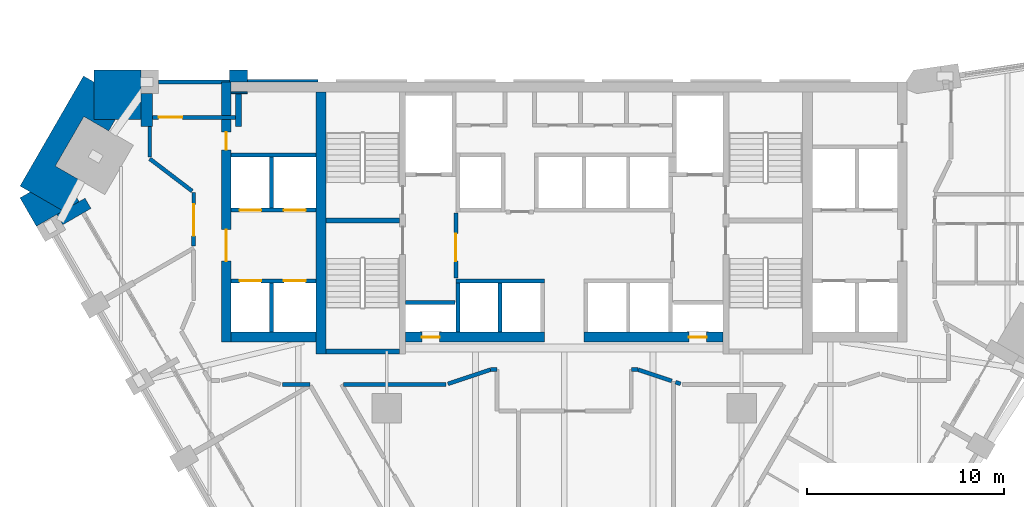
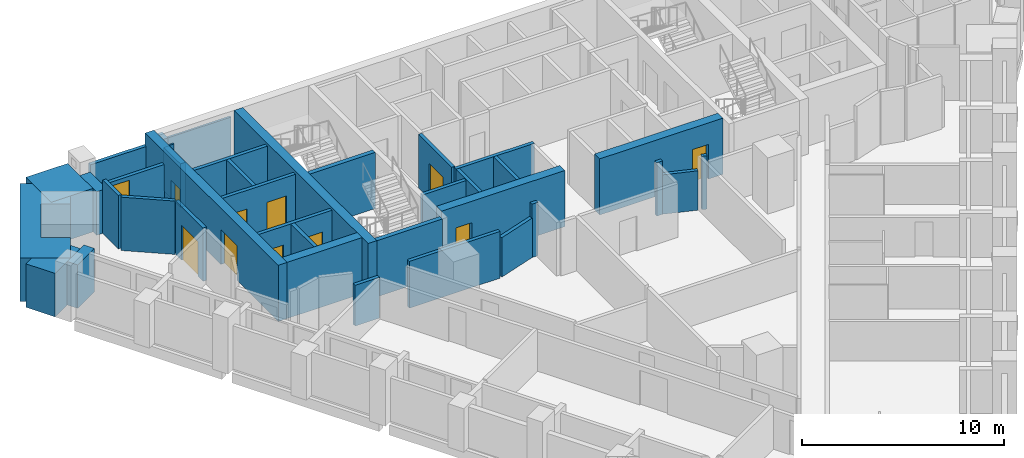
# One storey, part 6 of 11: 38 walls, 11 doors, 11 openings.
"""IFC4 building model written with IfcOpenShell, lengths in metres."""

from ifc_helpers import new_model, si_unit, direction, frame, frame_2d, origin, place, context, subcontext, project, spatial, polyline, rectangle, outline, extrude, material, layer, layer_set, type_object, element, fill, save


model = new_model("IFC4")

# Units and contexts
model_context = context("Model", 3, precision=1e-05, world=origin(), true_north=direction((0.0, 1.0)))
body_context = subcontext(model_context, "Body", "Model", "MODEL_VIEW")
ifc_project = project(units=[si_unit("LENGTHUNIT", "METRE"), si_unit("AREAUNIT", "SQUARE_METRE"), si_unit("VOLUMEUNIT", "CUBIC_METRE"), si_unit("PLANEANGLEUNIT", "RADIAN"), si_unit("MASSUNIT", "GRAM", prefix="KILO")], contexts=[model_context])

# Site, building, storey
site_placement = place(None, origin())
site = spatial("IfcSite", under=ifc_project, at=site_placement, CompositionType="ELEMENT")
building_placement = place(site_placement, origin())
building = spatial("IfcBuilding", under=site, at=building_placement, Name="Calabash Gate Tower", CompositionType="ELEMENT")
storey_placement = place(building_placement, frame((0.0, 0.0, 119.0)))
storey = spatial("IfcBuildingStorey", under=building, at=storey_placement, Name="L27", CompositionType="ELEMENT", Elevation=119.0)

# Walls
ifc_material_1 = material(Name="Terracotta brick masonry, exposed face", Category="masonry")
ifc_layer_1 = layer(ifc_material_1, 2.5)
ifc_layer_set_1 = layer_set([ifc_layer_1], Name="Brick corner mass wall 2500")
wall_type_1 = type_object("IfcWallType", Name="Brick corner mass wall 2500", PredefinedType="SOLIDWALL", material=ifc_layer_set_1)
wall_1_placement = place(storey_placement, origin())
element("IfcWall", 1, at=wall_1_placement, inside=storey, type_object=wall_type_1, Name="Brick corner pier S07 3a", PredefinedType="SOLIDWALL", context=body_context, shape_type="SweptSolid", body=[
    extrude(outline(polyline([(-23.87255859375, 17.152587890625), (-21.48291015625, 17.152587890625), (-21.48291015625, 18.452880859375), (-21.48291015625, 18.452880859375), (-21.48291015625, 19.652587890625), (-23.87255859375, 19.652587890625), (-23.87255859375, 17.152587890625)])), origin(), (0.0, 0.0, 1.0), 2.6298828125),
])
wall_2_placement = place(storey_placement, origin())
element("IfcWall", 2, at=wall_2_placement, inside=storey, type_object=wall_type_1, Name="Brick corner pier S07 3b", PredefinedType="SOLIDWALL", context=body_context, shape_type="SweptSolid", body=[
    extrude(outline(polyline([(-23.114013671875, 16.56640625), (-22.775634765625, 17.152587890625), (-23.87255859375, 17.152587890625), (-23.87255859375, 19.052490234375), (-24.392333984375, 19.3525390625), (-27.616455078125, 13.76806640625), (-25.451416015625, 12.51806640625), (-24.56396484375, 14.054931640625), (-25.82373046875, 14.7822265625), (-24.373779296875, 17.293701171875), (-23.114013671875, 16.56640625)])), origin(), (0.0, 0.0, 1.0), 2.6298828125),
])
wall_3_placement = place(storey_placement, origin())
element("IfcWall", 3, at=wall_3_placement, inside=storey, type_object=wall_type_1, Name="Brick corner pier S07 3c", PredefinedType="SOLIDWALL", context=body_context, shape_type="SweptSolid", body=[
    extrude(outline(polyline([(-26.78369140625, 11.725830078125), (-24.61865234375, 12.975830078125), (-24.90283203125, 13.46826171875), (-25.451416015625, 12.51806640625), (-27.0966796875, 13.46826171875), (-27.616455078125, 13.168212890625), (-26.78369140625, 11.725830078125)])), origin(), (0.0, 0.0, 1.0), 2.6298828125),
])
ifc_material_2 = material(Name="Terracotta brick masonry, exposed face", Category="masonry")
ifc_layer_2 = layer(ifc_material_2, 1.199951171875)
ifc_layer_set_2 = layer_set([ifc_layer_2], Name="Brick end wall 1200")
wall_type_2 = type_object("IfcWallType", Name="Brick end wall 1200", PredefinedType="SOLIDWALL", material=ifc_layer_set_2)
wall_4_placement = place(storey_placement, origin())
element("IfcWall", 4, at=wall_4_placement, inside=storey, type_object=wall_type_2, Name="Brick pier S07 N6.7a", PredefinedType="SOLIDWALL", context=body_context, shape_type="SweptSolid", body=[
    extrude(outline(polyline([(-16.0830078125, 19.052490234375), (-16.0830078125, 19.652587890625), (-16.98291015625, 19.652587890625), (-16.98291015625, 19.052490234375), (-16.0830078125, 19.052490234375)])), origin(), (0.0, 0.0, 1.0), 2.64990234375),
])
wall_5_placement = place(storey_placement, origin())
element("IfcWall", 5, at=wall_5_placement, inside=storey, type_object=wall_type_2, Name="Brick pier S07 N6.7b", PredefinedType="SOLIDWALL", context=body_context, shape_type="SweptSolid", body=[
    extrude(outline(polyline([(-16.0830078125, 18.45263671875), (-16.0830078125, 18.552490234375), (-16.89990234375, 18.552490234375), (-16.89990234375, 18.45263671875), (-16.0830078125, 18.45263671875)])), origin(), (0.0, 0.0, 1.0), 2.64990234375),
])
ifc_material_3 = material(Name="Terracotta brick masonry, exposed face", Category="masonry")
ifc_layer_3 = layer(ifc_material_3, 0.300048828125)
ifc_layer_set_3 = layer_set([ifc_layer_3], Name="Brick loggia cheek wall 300")
wall_type_3 = type_object("IfcWallType", Name="Brick loggia cheek wall 300", PredefinedType="SOLIDWALL", material=ifc_layer_set_3)
wall_6_placement = place(storey_placement, frame((-25.594482421875, 12.06591796875, 0.0), z_axis=(0.0, 0.0, 1.0), x_axis=(0.866040211805, 0.499974350878, 0.0)))
element("IfcWall", 6, at=wall_6_placement, inside=storey, type_object=wall_type_3, Name="Loggia cheek S07 SW0.0", PredefinedType="SOLIDWALL", context=body_context, shape_type="SweptSolid", body=[
    extrude(rectangle(XDim=1.64990234375, YDim=0.60009765625, at=frame_2d((0.824951171875, 0.0))), origin(), (0.0, 0.0, 1.0), 2.6298828125),
])
wall_7_placement = place(storey_placement, origin())
element("IfcWall", 7, at=wall_7_placement, inside=storey, type_object=wall_type_3, Name="Loggia cheek S07 N6.7", PredefinedType="SOLIDWALL", context=body_context, shape_type="SweptSolid", body=[
    extrude(outline(polyline([(-16.383056640625, 16.802490234375), (-16.383056640625, 18.45263671875), (-16.682861328125, 18.45263671875), (-16.682861328125, 16.802490234375), (-16.383056640625, 16.802490234375)])), origin(), (0.0, 0.0, 1.0), 2.64990234375),
])
wall_8_placement = place(storey_placement, origin())
element("IfcWall", 8, at=wall_8_placement, inside=storey, type_object=wall_type_3, Name="Loggia cheek S07 N6.8", PredefinedType="SOLIDWALL", context=body_context, shape_type="SweptSolid", body=[
    extrude(outline(polyline([(-21.48291015625, 18.45263671875), (-21.48291015625, 16.802490234375), (-20.883056640625, 16.802490234375), (-20.883056640625, 18.45263671875), (-21.48291015625, 18.45263671875)])), origin(), (0.0, 0.0, 1.0), 2.6298828125),
])
ifc_material_4 = material(Name="Concrete C80/95", Category="concrete")
ifc_layer_4 = layer(ifc_material_4, 0.25)
ifc_layer_set_4 = layer_set([ifc_layer_4], Name="Core wall 250 Concrete C80/95")
wall_type_4 = type_object("IfcWallType", Name="Core wall 250 Concrete C80/95", PredefinedType="SHEAR", material=ifc_layer_set_4)
for number, where, z_axis, x_axis, name in (
    (9, (-12.10009765625, 12.027587890625, 0.0), (0.0, 0.0, 1.0), (1.0, 0.0, 0.0), "Core wall Z2-MIDW L27"),
    (10, (-12.10009765625, 5.377685546875, 0.0), (0.0, 0.0, 1.0), (1.0, 0.0, 0.0), "Core wall Z2-SSW L27"),
):
    element("IfcWall", number, at=place(storey_placement, frame(where, z_axis=z_axis, x_axis=x_axis)), inside=storey, type_object=wall_type_4, Name=name, PredefinedType="SHEAR", context=body_context, shape_type="SweptSolid", body=[
        extrude(rectangle(XDim=3.75, YDim=0.25, at=frame_2d((1.875, 0.0))), origin(), (0.0, 0.0, 1.0), 3.39990234375),
    ])
ifc_material_5 = material(Name="Concrete C80/95", Category="concrete")
ifc_layer_5 = layer(ifc_material_5, 0.5)
ifc_layer_set_5 = layer_set([ifc_layer_5], Name="Core wall 500 Concrete C80/95")
wall_type_5 = type_object("IfcWallType", Name="Core wall 500 Concrete C80/95", PredefinedType="SHEAR", material=ifc_layer_set_5)
wall_9_placement = place(storey_placement, frame((-12.35009765625, 5.252685546875, 0.0), z_axis=(0.0, 0.0, 1.0), x_axis=(0.0, 1.0, 0.0)))
element("IfcWall", 11, at=wall_9_placement, inside=storey, type_object=wall_type_5, Name="Core wall Z2-COLW L27", PredefinedType="SHEAR", context=body_context, shape_type="SweptSolid", body=[
    extrude(rectangle(XDim=13.2998046875, YDim=0.5, at=frame_2d((6.64990234375, 0.0))), origin(), (0.0, 0.0, 1.0), 3.39990234375),
])

# Wall, opening, door
wall_10_placement = place(storey_placement, frame((-8.050048828125, 6.1025390625, 0.0), z_axis=(0.0, 0.0, 1.0), x_axis=(1.0, 0.0, 0.0)))
wall_10 = element("IfcWall", 12, at=wall_10_placement, inside=storey, type_object=wall_type_5, Name="Core wall Z2-SA L27", PredefinedType="SHEAR", context=body_context, shape_type="SweptSolid", body=[
    extrude(rectangle(XDim=7.050048828125, YDim=0.5, at=frame_2d((3.52490234375, 0.0))), origin(), (0.0, 0.0, 1.0), 3.39990234375),
])
opening_1_placement = place(wall_10_placement, frame((0.824951171875, 0.0, 0.0)))
opening_1 = element("IfcOpeningElement", 13, at=opening_1_placement, cuts=wall_10, Name="Opening H7-013", PredefinedType="OPENING", context=body_context, shape_type="SweptSolid", body=[
    extrude(rectangle(XDim=0.89990234375, YDim=2.10009765625, at=frame_2d((0.449951171875, 1.050048828125))), frame((0.0, 0.260009765625, 0.0), z_axis=(0.0, -1.0, 0.0), x_axis=(1.0, 0.0, 0.0)), (0.0, 0.0, 1.0), 0.52001953125),
])
ifc_material_6 = material(Name="Steel fire door set with fire-resisting glazing", Category="steel")
door_type_1 = type_object("IfcDoorType", Name="Fire door D07 900x2100 FD90", OperationType="NOTDEFINED", PredefinedType="DOOR", material=ifc_material_6)
door_1_placement = place(opening_1_placement, origin())
door_1 = element("IfcDoor", 14, at=door_1_placement, inside=storey, type_object=door_type_1, Name="Electrical Riser W door", OperationType="SINGLE_SWING_LEFT", OverallHeight=2.10009765625, OverallWidth=0.89990234375, PredefinedType="DOOR", context=body_context, shape_type="SweptSolid", body=[
    extrude(rectangle(XDim=0.89990234375, YDim=2.10009765625, at=frame_2d((0.449951171875, 1.050048828125))), frame((0.0, 0.02490234375, 0.0), z_axis=(0.0, -1.0, 0.0), x_axis=(1.0, 0.0, 0.0)), (0.0, 0.0, 1.0), 0.050048828125),
])
fill(opening_1, door_1)

wall_11_placement = place(storey_placement, frame((1.0, 6.1025390625, 0.0), z_axis=(0.0, 0.0, 1.0), x_axis=(1.0, 0.0, 0.0)))
wall_11 = element("IfcWall", 15, at=wall_11_placement, inside=storey, type_object=wall_type_5, Name="Core wall Z2-SB L27", PredefinedType="SHEAR", context=body_context, shape_type="SweptSolid", body=[
    extrude(rectangle(XDim=7.050048828125, YDim=0.5, at=frame_2d((3.52490234375, 0.0))), origin(), (0.0, 0.0, 1.0), 3.39990234375),
])
opening_2_placement = place(wall_11_placement, frame((5.324951171875, 0.0, 0.0)))
opening_2 = element("IfcOpeningElement", 16, at=opening_2_placement, cuts=wall_11, Name="Opening H7-012", PredefinedType="OPENING", context=body_context, shape_type="SweptSolid", body=[
    extrude(rectangle(XDim=0.89990234375, YDim=2.10009765625, at=frame_2d((0.449951171875, 1.050048828125))), frame((0.0, 0.260009765625, 0.0), z_axis=(0.0, -1.0, 0.0), x_axis=(1.0, 0.0, 0.0)), (0.0, 0.0, 1.0), 0.52001953125),
])
door_2_placement = place(opening_2_placement, origin())
door_2 = element("IfcDoor", 17, at=door_2_placement, inside=storey, type_object=door_type_1, Name="Mechanical Riser E door", OperationType="SINGLE_SWING_RIGHT", OverallHeight=2.10009765625, OverallWidth=0.89990234375, PredefinedType="DOOR", context=body_context, shape_type="SweptSolid", body=[
    extrude(rectangle(XDim=0.89990234375, YDim=2.10009765625, at=frame_2d((0.449951171875, 1.050048828125))), frame((0.0, 0.02490234375, 0.0), z_axis=(0.0, -1.0, 0.0), x_axis=(1.0, 0.0, 0.0)), (0.0, 0.0, 1.0), 0.050048828125),
])
fill(opening_2, door_2)

# Wall
wall_12_placement = place(storey_placement, frame((-12.60009765625, 6.1025390625, 0.0), z_axis=(0.0, 0.0, 1.0), x_axis=(-1.0, 0.0, 0.0)))
element("IfcWall", 18, at=wall_12_placement, inside=storey, type_object=wall_type_5, Name="Core wall Z2-SW L27", PredefinedType="SHEAR", context=body_context, shape_type="SweptSolid", body=[
    extrude(rectangle(XDim=4.2998046875, YDim=0.5, at=frame_2d((2.14990234375, 0.0))), origin(), (0.0, 0.0, 1.0), 3.39990234375),
])

# Wall, openings, doors
wall_13_placement = place(storey_placement, frame((-17.14990234375, 5.8525390625, 0.0), z_axis=(0.0, 0.0, 1.0), x_axis=(0.0, 1.0, 0.0)))
wall_13 = element("IfcWall", 19, at=wall_13_placement, inside=storey, type_object=wall_type_5, Name="Core wall Z2-ENDW L27", PredefinedType="SHEAR", context=body_context, shape_type="SweptSolid", body=[
    extrude(rectangle(XDim=13.199951171875, YDim=0.5, at=frame_2d((6.60009765625, 0.0))), origin(), (0.0, 0.0, 1.0), 3.39990234375),
])
opening_3_placement = place(wall_13_placement, frame((4.10009765625, 0.0, 0.0)))
opening_3 = element("IfcOpeningElement", 20, at=opening_3_placement, cuts=wall_13, Name="Opening H7-003", PredefinedType="OPENING", context=body_context, shape_type="SweptSolid", body=[
    extrude(rectangle(XDim=1.60009765625, YDim=2.10009765625, at=frame_2d((0.800048828125, 1.050048828125))), frame((0.0, 0.260009765625, 0.0), z_axis=(0.0, -1.0, 0.0), x_axis=(1.0, 0.0, 0.0)), (0.0, 0.0, 1.0), 0.52001953125),
])
opening_4_placement = place(wall_13_placement, frame((9.75, 0.0, 0.0)))
opening_4 = element("IfcOpeningElement", 21, at=opening_4_placement, cuts=wall_13, Name="Opening H7-004", PredefinedType="OPENING", context=body_context, shape_type="SweptSolid", body=[
    extrude(rectangle(XDim=0.89990234375, YDim=2.10009765625, at=frame_2d((0.449951171875, 1.050048828125))), frame((0.0, 0.260009765625, 0.0), z_axis=(0.0, -1.0, 0.0), x_axis=(1.0, 0.0, 0.0)), (0.0, 0.0, 1.0), 0.52001953125),
])
ifc_material_7 = material(Name="Steel fire door set with fire-resisting glazing", Category="steel")
door_type_2 = type_object("IfcDoorType", Name="Double fire door D08 1600x2100 FD60", OperationType="DOUBLE_DOOR_SINGLE_SWING", PredefinedType="DOOR", material=ifc_material_7)
door_3_placement = place(opening_3_placement, origin())
door_3 = element("IfcDoor", 22, at=door_3_placement, inside=storey, type_object=door_type_2, Name="Low-rise Lift Lobby W door", OperationType="DOUBLE_DOOR_SINGLE_SWING", OverallHeight=2.10009765625, OverallWidth=1.60009765625, PredefinedType="DOOR", context=body_context, shape_type="SweptSolid", body=[
    extrude(rectangle(XDim=1.60009765625, YDim=2.10009765625, at=frame_2d((0.800048828125, 1.050048828125))), frame((0.0, 0.02490234375, 0.0), z_axis=(0.0, -1.0, 0.0), x_axis=(1.0, 0.0, 0.0)), (0.0, 0.0, 1.0), 0.050048828125),
])
fill(opening_3, door_3)
ifc_material_8 = material(Name="Steel fire door set with fire-resisting glazing", Category="steel")
door_type_3 = type_object("IfcDoorType", Name="Fire door D06 900x2100 FD60", OperationType="NOTDEFINED", PredefinedType="DOOR", material=ifc_material_8)
door_4_placement = place(opening_4_placement, origin())
door_4 = element("IfcDoor", 23, at=door_4_placement, inside=storey, type_object=door_type_3, Name="Cleaner's Store door", OperationType="SINGLE_SWING_RIGHT", OverallHeight=2.10009765625, OverallWidth=0.89990234375, PredefinedType="DOOR", context=body_context, shape_type="SweptSolid", body=[
    extrude(rectangle(XDim=0.89990234375, YDim=2.10009765625, at=frame_2d((0.449951171875, 1.050048828125))), frame((0.0, 0.02490234375, 0.0), z_axis=(0.0, -1.0, 0.0), x_axis=(1.0, 0.0, 0.0)), (0.0, 0.0, 1.0), 0.050048828125),
])
fill(opening_4, door_4)

# Walls
ifc_material_9 = material(Name="Gypsum board on steel studs, mineral wool", Category="steel")
ifc_layer_6 = layer(ifc_material_9, 0.199951171875)
ifc_layer_set_6 = layer_set([ifc_layer_6], Name="Partition 200 gypsum board EI 60")
wall_type_6 = type_object("IfcWallType", Name="Partition 200 gypsum board EI 60", PredefinedType="PARTITIONING", material=ifc_layer_set_6)
wall_14_placement = place(storey_placement, frame((-14.300048828125, 3.699462890625, 0.0), z_axis=(0.0, 0.0, 1.0), x_axis=(1.0, 0.0, 0.0)))
element("IfcWall", 24, at=wall_14_placement, inside=storey, type_object=wall_type_6, Name="Partition", PredefinedType="PARTITIONING", context=body_context, shape_type="SweptSolid", body=[
    extrude(rectangle(XDim=1.387451171875, YDim=0.199951171875, at=frame_2d((0.69384765625, 0.0))), origin(), (0.0, 0.0, 1.0), 2.4736328125),
])
wall_15_placement = place(storey_placement, frame((-11.1953125, 3.69970703125, 0.0), z_axis=(0.0, 0.0, 1.0), x_axis=(1.0, 0.0, 0.0)))
element("IfcWall", 25, at=wall_15_placement, inside=storey, type_object=wall_type_6, Name="Partition", PredefinedType="PARTITIONING", context=body_context, shape_type="SweptSolid", body=[
    extrude(rectangle(XDim=5.1953125, YDim=0.199951171875, at=frame_2d((2.59765625, 0.0))), origin(), (0.0, 0.0, 1.0), 2.83154296875),
])
wall_16_placement = place(storey_placement, frame((5.64501953125, 3.816650390625, 0.0), z_axis=(0.0, 0.0, 1.0), x_axis=(0.950012851822, -0.312210796374, 0.0)))
element("IfcWall", 26, at=wall_16_placement, inside=storey, type_object=wall_type_6, Name="Partition", PredefinedType="PARTITIONING", context=body_context, shape_type="SweptSolid", body=[
    extrude(rectangle(XDim=0.273681640625, YDim=0.199951171875, at=frame_2d((0.13671875, 0.0))), origin(), (0.0, 0.0, 1.0), 3.22998046875),
])
wall_17_placement = place(storey_placement, frame((3.7421875, 4.452392578125, 0.0), z_axis=(0.0, 0.0, 1.0), x_axis=(0.948371897829, -0.317160437962, 0.0)))
element("IfcWall", 27, at=wall_17_placement, inside=storey, type_object=wall_type_6, Name="Partition", PredefinedType="PARTITIONING", context=body_context, shape_type="SweptSolid", body=[
    extrude(rectangle(XDim=1.805908203125, YDim=0.199951171875, at=frame_2d((0.90283203125, 0.0))), origin(), (0.0, 0.0, 1.0), 2.384033203125),
])
wall_18_placement = place(storey_placement, frame((-5.905029296875, 3.7314453125, 0.0), z_axis=(0.0, 0.0, 1.0), x_axis=(0.948683298051, 0.316227766017, 0.0)))
element("IfcWall", 28, at=wall_18_placement, inside=storey, type_object=wall_type_6, Name="Partition", PredefinedType="PARTITIONING", context=body_context, shape_type="SweptSolid", body=[
    extrude(rectangle(XDim=2.27978515625, YDim=0.199951171875, at=frame_2d((1.139892578125, 0.0))), origin(), (0.0, 0.0, 1.0), 2.384033203125),
])
for number, where, z_axis, x_axis, name in (
    (29, (-3.7421875, 4.452392578125, 0.0), (0.0, 0.0, 1.0), (0.999987374295, -0.005025062182, 0.0), "Partition"),
    (30, (3.402099609375, 4.45068359375, 0.0), (0.0, 0.0, 1.0), (0.999987374295, 0.005025062182, 0.0), "Partition"),
):
    element("IfcWall", number, at=place(storey_placement, frame(where, z_axis=z_axis, x_axis=x_axis)), inside=storey, type_object=wall_type_6, Name=name, PredefinedType="PARTITIONING", context=body_context, shape_type="SweptSolid", body=[
        extrude(rectangle(XDim=0.340087890625, YDim=0.199951171875, at=frame_2d((0.169921875, 0.0))), origin(), (0.0, 0.0, 1.0), 3.22998046875),
    ])

# Wall, opening, door
wall_19_placement = place(storey_placement, frame((-18.802001953125, 10.71826171875, 0.0), z_axis=(0.0, 0.0, 1.0), x_axis=(0.000535762045, 0.99999985648, 0.0)))
wall_19 = element("IfcWall", 31, at=wall_19_placement, inside=storey, type_object=wall_type_6, Name="Partition", PredefinedType="PARTITIONING", context=body_context, shape_type="SweptSolid", body=[
    extrude(rectangle(XDim=2.734130859375, YDim=0.199951171875, at=frame_2d((1.3671875, 0.0))), origin(), (0.0, 0.0, 1.0), 3.22998046875),
])
opening_5_placement = place(wall_19_placement, frame((0.516357421875, 0.0, 0.0)))
opening_5 = element("IfcOpeningElement", 32, at=opening_5_placement, cuts=wall_19, Name="Opening 25-27-022", PredefinedType="OPENING", context=body_context, shape_type="SweptSolid", body=[
    extrude(rectangle(XDim=1.60009765625, YDim=2.10009765625, at=frame_2d((0.800048828125, 1.050048828125))), frame((0.0, 0.10986328125, 0.0), z_axis=(0.0, -1.0, 0.0), x_axis=(1.0, 0.0, 0.0)), (0.0, 0.0, 1.0), 0.219970703125),
])
ifc_material_10 = material(Name="Steel fire door set with fire-resisting glazing", Category="steel")
door_type_4 = type_object("IfcDoorType", Name="LD1 Lounge double door 1600x2100", OperationType="NOTDEFINED", PredefinedType="DOOR", material=ifc_material_10)
door_5_placement = place(opening_5_placement, origin())
door_5 = element("IfcDoor", 33, at=door_5_placement, inside=storey, type_object=door_type_4, Name="Lounge double door", OperationType="DOUBLE_DOOR_SINGLE_SWING", OverallHeight=2.10009765625, OverallWidth=1.60009765625, PredefinedType="DOOR", context=body_context, shape_type="SweptSolid", body=[
    extrude(rectangle(XDim=1.60009765625, YDim=2.10009765625, at=frame_2d((0.800048828125, 1.050048828125))), frame((0.0, 0.02490234375, 0.0), z_axis=(0.0, -1.0, 0.0), x_axis=(1.0, 0.0, 0.0)), (0.0, 0.0, 1.0), 0.050048828125),
])
fill(opening_5, door_5)

# Walls
wall_20_placement = place(storey_placement, frame((-21.033447265625, 15.15234375, 0.0), z_axis=(0.0, 0.0, 1.0), x_axis=(0.79564910386, -0.605757792791, 0.0)))
element("IfcWall", 34, at=wall_20_placement, inside=storey, type_object=wall_type_6, Name="Partition", PredefinedType="PARTITIONING", context=body_context, shape_type="SweptSolid", body=[
    extrude(rectangle(XDim=2.706298828125, YDim=0.199951171875, at=frame_2d((1.35302734375, 0.0))), origin(), (0.0, 0.0, 1.0), 3.22998046875),
])
wall_21_placement = place(storey_placement, frame((-21.033447265625, 16.802490234375, 0.0), z_axis=(0.0, 0.0, 1.0), x_axis=(0.0, -1.0, 0.0)))
element("IfcWall", 35, at=wall_21_placement, inside=storey, type_object=wall_type_6, Name="Partition", PredefinedType="PARTITIONING", context=body_context, shape_type="SweptSolid", body=[
    extrude(rectangle(XDim=1.55029296875, YDim=0.199951171875, at=frame_2d((0.775146484375, 0.0))), origin(), (0.0, 0.0, 1.0), 3.22998046875),
])
ifc_material_11 = material(Name="Concrete C40/50", Category="concrete")
ifc_layer_7 = layer(ifc_material_11, 0.199951171875)
ifc_layer_set_7 = layer_set([ifc_layer_7], Name="Shaft wall 200 Concrete C40/50")
wall_type_7 = type_object("IfcWallType", Name="Shaft wall 200 Concrete C40/50", PredefinedType="SOLIDWALL", material=ifc_layer_set_7)
for number, where, z_axis, x_axis, name in (
    (36, (-14.85009765625, 6.3525390625, 0.0), (0.0, 0.0, 1.0), (0.0, 1.0, 0.0), "Shaft wall"),
    (37, (-5.39990234375, 6.3525390625, 0.0), (0.0, 0.0, 1.0), (0.0, 1.0, 0.0), "Shaft wall"),
    (38, (-3.25, 6.3525390625, 0.0), (0.0, 0.0, 1.0), (0.0, 1.0, 0.0), "Shaft wall"),
    (39, (-8.050048828125, 7.8525390625, 0.0), (0.0, 0.0, 1.0), (1.0, 0.0, 0.0), "Shaft wall"),
):
    element("IfcWall", number, at=place(storey_placement, frame(where, z_axis=z_axis, x_axis=x_axis)), inside=storey, type_object=wall_type_7, Name=name, PredefinedType="SOLIDWALL", context=body_context, shape_type="SweptSolid", body=[
        extrude(rectangle(XDim=2.5, YDim=0.199951171875, at=frame_2d((1.25, 0.0))), origin(), (0.0, 0.0, 1.0), 3.22998046875),
    ])

# Wall, openings, doors
wall_22_placement = place(storey_placement, frame((-16.89990234375, 8.95263671875, 0.0), z_axis=(0.0, 0.0, 1.0), x_axis=(1.0, 0.0, 0.0)))
wall_22 = element("IfcWall", 40, at=wall_22_placement, inside=storey, type_object=wall_type_7, Name="Shaft wall", PredefinedType="SOLIDWALL", context=body_context, shape_type="SweptSolid", body=[
    extrude(rectangle(XDim=4.2998046875, YDim=0.199951171875, at=frame_2d((2.14990234375, 0.0))), origin(), (0.0, 0.0, 1.0), 3.22998046875),
])
opening_6_placement = place(wall_22_placement, frame((2.675048828125, 0.0, 0.0)))
opening_6 = element("IfcOpeningElement", 41, at=opening_6_placement, cuts=wall_22, Name="Opening LD-LR1", PredefinedType="OPENING", context=body_context, shape_type="SweptSolid", body=[
    extrude(rectangle(XDim=1.10009765625, YDim=2.10009765625, at=frame_2d((0.550048828125, 1.050048828125))), frame((0.0, 0.10986328125, 0.0), z_axis=(0.0, -1.0, 0.0), x_axis=(1.0, 0.0, 0.0)), (0.0, 0.0, 1.0), 0.219970703125),
])
opening_7_placement = place(wall_22_placement, frame((0.425048828125, 0.0, 0.0)))
opening_7 = element("IfcOpeningElement", 42, at=opening_7_placement, cuts=wall_22, Name="Opening LD-LR2", PredefinedType="OPENING", context=body_context, shape_type="SweptSolid", body=[
    extrude(rectangle(XDim=1.10009765625, YDim=2.10009765625, at=frame_2d((0.550048828125, 1.050048828125))), frame((0.0, 0.10986328125, 0.0), z_axis=(0.0, -1.0, 0.0), x_axis=(1.0, 0.0, 0.0)), (0.0, 0.0, 1.0), 0.219970703125),
])
ifc_material_12 = material(Name="Stainless steel sliding door leaves", Category="steel")
door_type_5 = type_object("IfcDoorType", Name="Lift landing door LS1 1100x2100 FD90", OperationType="DOUBLE_DOOR_SLIDING", PredefinedType="DOOR", material=ifc_material_12)
door_6_placement = place(opening_6_placement, origin())
door_6 = element("IfcDoor", 43, at=door_6_placement, inside=storey, type_object=door_type_5, Name="Lift landing door LR1", OperationType="DOUBLE_DOOR_SLIDING", OverallHeight=2.10009765625, OverallWidth=1.10009765625, PredefinedType="DOOR", context=body_context, shape_type="SweptSolid", body=[
    extrude(rectangle(XDim=1.10009765625, YDim=2.10009765625, at=frame_2d((0.550048828125, 1.050048828125))), frame((0.0, 0.02490234375, 0.0), z_axis=(0.0, -1.0, 0.0), x_axis=(1.0, 0.0, 0.0)), (0.0, 0.0, 1.0), 0.050048828125),
])
fill(opening_6, door_6)
door_7_placement = place(opening_7_placement, origin())
door_7 = element("IfcDoor", 44, at=door_7_placement, inside=storey, type_object=door_type_5, Name="Lift landing door LR2", OperationType="DOUBLE_DOOR_SLIDING", OverallHeight=2.10009765625, OverallWidth=1.10009765625, PredefinedType="DOOR", context=body_context, shape_type="SweptSolid", body=[
    extrude(rectangle(XDim=1.10009765625, YDim=2.10009765625, at=frame_2d((0.550048828125, 1.050048828125))), frame((0.0, 0.02490234375, 0.0), z_axis=(0.0, -1.0, 0.0), x_axis=(1.0, 0.0, 0.0)), (0.0, 0.0, 1.0), 0.050048828125),
])
fill(opening_7, door_7)

# Wall
wall_23_placement = place(storey_placement, frame((-5.5, 8.95263671875, 0.0), z_axis=(0.0, 0.0, 1.0), x_axis=(1.0, 0.0, 0.0)))
element("IfcWall", 45, at=wall_23_placement, inside=storey, type_object=wall_type_7, Name="Shaft wall", PredefinedType="SOLIDWALL", context=body_context, shape_type="SweptSolid", body=[
    extrude(rectangle(XDim=4.5, YDim=0.199951171875, at=frame_2d((2.25, 0.0))), origin(), (0.0, 0.0, 1.0), 3.22998046875),
])

# Wall, opening, door
wall_24_placement = place(storey_placement, frame((-5.5, 9.1025390625, 0.0), z_axis=(0.0, 0.0, 1.0), x_axis=(0.0, 1.0, 0.0)))
wall_24 = element("IfcWall", 46, at=wall_24_placement, inside=storey, type_object=wall_type_7, Name="Shaft wall", PredefinedType="SOLIDWALL", context=body_context, shape_type="SweptSolid", body=[
    extrude(rectangle(XDim=3.300048828125, YDim=0.199951171875, at=frame_2d((1.64990234375, 0.0))), origin(), (0.0, 0.0, 1.0), 3.22998046875),
])
opening_8_placement = place(wall_24_placement, frame((0.85009765625, 0.0, 0.0)))
opening_8 = element("IfcOpeningElement", 47, at=opening_8_placement, cuts=wall_24, Name="Opening H7-007", PredefinedType="OPENING", context=body_context, shape_type="SweptSolid", body=[
    extrude(rectangle(XDim=1.39990234375, YDim=2.10009765625, at=frame_2d((0.699951171875, 1.050048828125))), frame((0.0, 0.10986328125, 0.0), z_axis=(0.0, -1.0, 0.0), x_axis=(1.0, 0.0, 0.0)), (0.0, 0.0, 1.0), 0.219970703125),
])
ifc_material_13 = material(Name="Steel fire door set with fire-resisting glazing", Category="steel")
door_type_6 = type_object("IfcDoorType", Name="Fire door D05 1400x2100 FD90", OperationType="NOTDEFINED", PredefinedType="DOOR", material=ifc_material_13)
door_8_placement = place(opening_8_placement, origin())
door_8 = element("IfcDoor", 48, at=door_8_placement, inside=storey, type_object=door_type_6, Name="Firefighting Lobby W door", OperationType="SINGLE_SWING_RIGHT", OverallHeight=2.10009765625, OverallWidth=1.39990234375, PredefinedType="DOOR", context=body_context, shape_type="SweptSolid", body=[
    extrude(rectangle(XDim=1.39990234375, YDim=2.10009765625, at=frame_2d((0.699951171875, 1.050048828125))), frame((0.0, 0.02490234375, 0.0), z_axis=(0.0, -1.0, 0.0), x_axis=(1.0, 0.0, 0.0)), (0.0, 0.0, 1.0), 0.050048828125),
])
fill(opening_8, door_8)

# Wall, openings, doors
wall_25_placement = place(storey_placement, frame((-16.89990234375, 12.552490234375, 0.0), z_axis=(0.0, 0.0, 1.0), x_axis=(1.0, 0.0, 0.0)))
wall_25 = element("IfcWall", 49, at=wall_25_placement, inside=storey, type_object=wall_type_7, Name="Shaft wall", PredefinedType="SOLIDWALL", context=body_context, shape_type="SweptSolid", body=[
    extrude(rectangle(XDim=4.2998046875, YDim=0.199951171875, at=frame_2d((2.14990234375, 0.0))), origin(), (0.0, 0.0, 1.0), 3.22998046875),
])
opening_9_placement = place(wall_25_placement, frame((2.675048828125, 0.0, 0.0)))
opening_9 = element("IfcOpeningElement", 50, at=opening_9_placement, cuts=wall_25, Name="Opening LD-LR3", PredefinedType="OPENING", context=body_context, shape_type="SweptSolid", body=[
    extrude(rectangle(XDim=1.10009765625, YDim=2.10009765625, at=frame_2d((0.550048828125, 1.050048828125))), frame((0.0, 0.10986328125, 0.0), z_axis=(0.0, -1.0, 0.0), x_axis=(1.0, 0.0, 0.0)), (0.0, 0.0, 1.0), 0.219970703125),
])
opening_10_placement = place(wall_25_placement, frame((0.425048828125, 0.0, 0.0)))
opening_10 = element("IfcOpeningElement", 51, at=opening_10_placement, cuts=wall_25, Name="Opening LD-LR4", PredefinedType="OPENING", context=body_context, shape_type="SweptSolid", body=[
    extrude(rectangle(XDim=1.10009765625, YDim=2.10009765625, at=frame_2d((0.550048828125, 1.050048828125))), frame((0.0, 0.10986328125, 0.0), z_axis=(0.0, -1.0, 0.0), x_axis=(1.0, 0.0, 0.0)), (0.0, 0.0, 1.0), 0.219970703125),
])
door_9_placement = place(opening_9_placement, origin())
door_9 = element("IfcDoor", 52, at=door_9_placement, inside=storey, type_object=door_type_5, Name="Lift landing door LR3", OperationType="DOUBLE_DOOR_SLIDING", OverallHeight=2.10009765625, OverallWidth=1.10009765625, PredefinedType="DOOR", context=body_context, shape_type="SweptSolid", body=[
    extrude(rectangle(XDim=1.10009765625, YDim=2.10009765625, at=frame_2d((0.550048828125, 1.050048828125))), frame((0.0, 0.02490234375, 0.0), z_axis=(0.0, -1.0, 0.0), x_axis=(1.0, 0.0, 0.0)), (0.0, 0.0, 1.0), 0.050048828125),
])
fill(opening_9, door_9)
door_10_placement = place(opening_10_placement, origin())
door_10 = element("IfcDoor", 53, at=door_10_placement, inside=storey, type_object=door_type_5, Name="Lift landing door LR4", OperationType="DOUBLE_DOOR_SLIDING", OverallHeight=2.10009765625, OverallWidth=1.10009765625, PredefinedType="DOOR", context=body_context, shape_type="SweptSolid", body=[
    extrude(rectangle(XDim=1.10009765625, YDim=2.10009765625, at=frame_2d((0.550048828125, 1.050048828125))), frame((0.0, 0.02490234375, 0.0), z_axis=(0.0, -1.0, 0.0), x_axis=(1.0, 0.0, 0.0)), (0.0, 0.0, 1.0), 0.050048828125),
])
fill(opening_10, door_10)

# Walls
wall_26_placement = place(storey_placement, frame((-14.85009765625, 12.652587890625, 0.0), z_axis=(0.0, 0.0, 1.0), x_axis=(0.0, 1.0, 0.0)))
element("IfcWall", 54, at=wall_26_placement, inside=storey, type_object=wall_type_7, Name="Shaft wall", PredefinedType="SOLIDWALL", context=body_context, shape_type="SweptSolid", body=[
    extrude(rectangle(XDim=2.60009765625, YDim=0.199951171875, at=frame_2d((1.300048828125, 0.0))), origin(), (0.0, 0.0, 1.0), 3.22998046875),
])
wall_27_placement = place(storey_placement, frame((-16.89990234375, 15.3525390625, 0.0), z_axis=(0.0, 0.0, 1.0), x_axis=(1.0, 0.0, 0.0)))
element("IfcWall", 55, at=wall_27_placement, inside=storey, type_object=wall_type_7, Name="Shaft wall", PredefinedType="SOLIDWALL", context=body_context, shape_type="SweptSolid", body=[
    extrude(rectangle(XDim=4.2998046875, YDim=0.199951171875, at=frame_2d((2.14990234375, 0.0))), origin(), (0.0, 0.0, 1.0), 3.22998046875),
])
ifc_material_14 = material(Name="Terracotta brick masonry, perforated", Category="masonry")
ifc_layer_8 = layer(ifc_material_14, 0.1201171875)
ifc_layer_set_8 = layer_set([ifc_layer_8], Name="Terracotta jaali cladding A 120")
wall_type_8 = type_object("IfcWallType", Name="Terracotta jaali cladding A 120", PredefinedType="SOLIDWALL", material=ifc_layer_set_8)
wall_28_placement = place(storey_placement, origin())
element("IfcWall", 56, at=wall_28_placement, inside=storey, type_object=wall_type_8, Name="Jaali cladding S07 N6.7", PredefinedType="SOLIDWALL", context=body_context, shape_type="SweptSolid", body=[
    extrude(outline(polyline([(-16.08251953125, 19.172607421875), (-16.08251953125, 19.052490234375), (-12.48291015625, 19.052490234375), (-12.48291015625, 19.172607421875), (-16.08251953125, 19.172607421875)])), origin(), (0.0, 0.0, 1.0), 2.64990234375),
])
ifc_material_15 = material(Name="Terracotta brick masonry, perforated", Category="masonry")
ifc_layer_9 = layer(ifc_material_15, 0.199951171875)
ifc_layer_set_9 = layer_set([ifc_layer_9], Name="Terracotta jaali screen A")
wall_type_9 = type_object("IfcWallType", Name="Terracotta jaali screen A", PredefinedType="SOLIDWALL", material=ifc_layer_set_9)
wall_29_placement = place(storey_placement, origin())
element("IfcWall", 57, at=wall_29_placement, inside=storey, type_object=wall_type_9, Name="SCREEN A S07 N6.8", PredefinedType="SOLIDWALL", context=body_context, shape_type="SweptSolid", body=[
    extrude(outline(polyline([(-20.5830078125, 19.152587890625), (-20.5830078125, 18.95263671875), (-17.39990234375, 18.95263671875), (-17.39990234375, 19.052490234375), (-16.98291015625, 19.052490234375), (-16.98291015625, 19.152587890625), (-20.5830078125, 19.152587890625)])), origin(), (0.0, 0.0, 1.0), 2.64990234375),
])

# Wall, opening, door
ifc_material_16 = material(Name="Aluminium framed window wall with insulated spandrel", Category="aluminium")
ifc_layer_10 = layer(ifc_material_16, 0.199951171875)
ifc_layer_set_10 = layer_set([ifc_layer_10], Name="Window wall 200")
wall_type_10 = type_object("IfcWallType", Name="Window wall 200", PredefinedType="ELEMENTEDWALL", material=ifc_layer_set_10)
wall_30_placement = place(storey_placement, frame((-16.682861328125, 17.25244140625, 0.0), z_axis=(0.0, 0.0, 1.0), x_axis=(-1.0, 0.0, 0.0)))
wall_30 = element("IfcWall", 58, at=wall_30_placement, inside=storey, type_object=wall_type_10, Name="Window wall S07 N6.8", PredefinedType="ELEMENTEDWALL", context=body_context, shape_type="SweptSolid", body=[
    extrude(rectangle(XDim=4.2001953125, YDim=0.199951171875, at=frame_2d((2.10009765625, 0.0))), origin(), (0.0, 0.0, 1.0), 2.64990234375),
])
opening_11_placement = place(wall_30_placement, frame((2.699951171875, 0.0, 0.0)))
opening_11 = element("IfcOpeningElement", 59, at=opening_11_placement, cuts=wall_30, Name="Opening H7-018", PredefinedType="OPENING", context=body_context, shape_type="SweptSolid", body=[
    extrude(rectangle(XDim=1.199951171875, YDim=2.39990234375, at=frame_2d((0.60009765625, 1.199951171875))), frame((0.0, 0.10986328125, 0.0), z_axis=(0.0, -1.0, 0.0), x_axis=(1.0, 0.0, 0.0)), (0.0, 0.0, 1.0), 0.219970703125),
])
ifc_material_17 = material(Name="Anodised aluminium frame, bronze finish, impact-rated laminated clear glazing", Category="aluminium")
door_type_7 = type_object("IfcDoorType", Name="Loggia door DH1 1200x2400", OperationType="SLIDING_TO_LEFT", PredefinedType="DOOR", material=ifc_material_17)
door_11_placement = place(opening_11_placement, origin())
door_11 = element("IfcDoor", 60, at=door_11_placement, inside=storey, type_object=door_type_7, Name="Loggia door S07 N6.8", OperationType="SINGLE_SWING_LEFT", OverallHeight=2.39990234375, OverallWidth=1.199951171875, PredefinedType="DOOR", context=body_context, shape_type="SweptSolid", body=[
    extrude(rectangle(XDim=1.199951171875, YDim=2.39990234375, at=frame_2d((0.60009765625, 1.199951171875))), frame((0.0, 0.02490234375, 0.0), z_axis=(0.0, -1.0, 0.0), x_axis=(1.0, 0.0, 0.0)), (0.0, 0.0, 1.0), 0.050048828125),
])
fill(opening_11, door_11)

save(model, "model.ifc")
